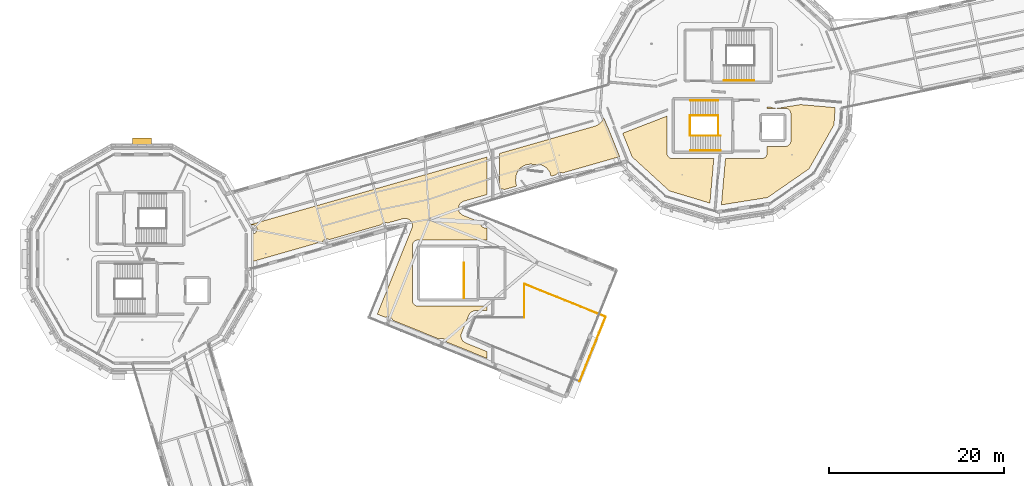
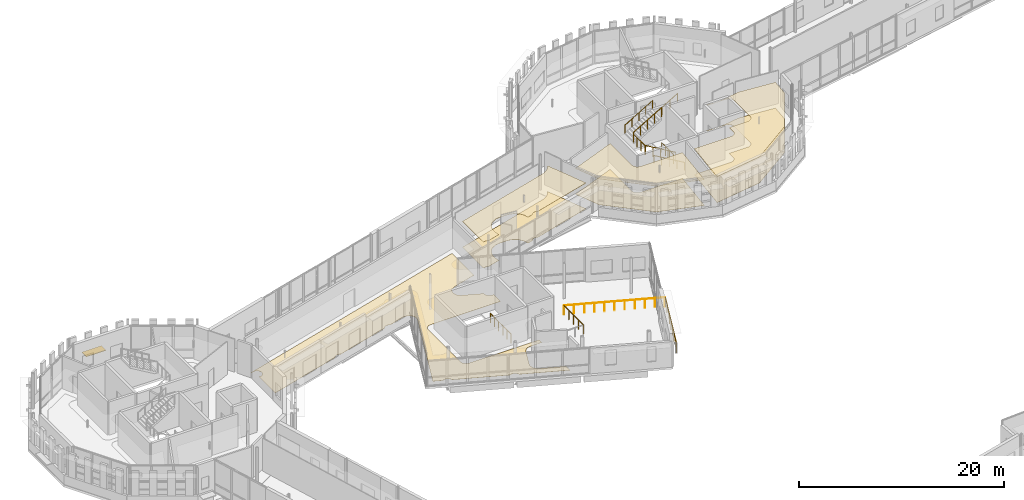
# One storey, part 121 of 125: 11 railings, 7 coverings, 1 shading device.
"""IFC4 building model written with IfcOpenShell, lengths in metres."""

from ifc_helpers import new_model, si_unit, direction, frame, origin, origin_2d, place, context, subcontext, project, spatial, polyline, rectangle, circle, outline, extrude, material, layer, layer_set, type_object, element, save


model = new_model("IFC4")

# Units and contexts
model_context = context("Model", 3, precision=1e-05, world=origin(), true_north=direction((0.0, 1.0)))
body_context = subcontext(model_context, "Body", "Model", "MODEL_VIEW")
ifc_project = project(units=[si_unit("LENGTHUNIT", "METRE"), si_unit("AREAUNIT", "SQUARE_METRE"), si_unit("VOLUMEUNIT", "CUBIC_METRE"), si_unit("PLANEANGLEUNIT", "RADIAN"), si_unit("MASSUNIT", "GRAM", prefix="KILO")], contexts=[model_context])

# Site, building, storey
site_placement = place(None, origin())
site = spatial("IfcSite", under=ifc_project, at=site_placement, CompositionType="ELEMENT")
building_placement = place(site_placement, origin())
building = spatial("IfcBuilding", under=site, at=building_placement, Name="Wrenclough Park School", CompositionType="ELEMENT")
storey_placement = place(building_placement, frame((0.0, 0.0, 4.199951171875)))
storey = spatial("IfcBuildingStorey", under=building, at=storey_placement, Name="L01", CompositionType="ELEMENT", Elevation=4.199951171875)

# Shading device
ifc_material_1 = material(Name="Anodised extruded aluminium solar louvre", Category="aluminium")
ifc_layer_1 = layer(ifc_material_1, 0.06005859375)
ifc_layer_set_1 = layer_set([ifc_layer_1], Name="Anodised extruded aluminium solar louvre")
shading_device_type = type_object("IfcShadingDeviceType", Name="ENV-SL-02", PredefinedType="JALOUSIE", material=ifc_layer_set_1)
shading_device_placement = place(storey_placement, frame((16.5, 102.876708984375, 1.030029296875), z_axis=(0.0, 0.0, 1.0), x_axis=(-1.0, 0.0, 0.0)))
element("IfcShadingDevice", 1, at=shading_device_placement, inside=storey, type_object=shading_device_type, Name="D3 L01 sun-side aluminium solar louvre 021", PredefinedType="JALOUSIE", context=body_context, shape_type="SweptSolid", body=[
    extrude(rectangle(XDim=2.199951171875, YDim=0.8798828125, at=origin_2d()), origin(), (0.0, 0.0, 1.0), 0.06005859375),
])

# Coverings
ifc_material_2 = material(Name="Class A mineral-fibre acoustic ceiling raft", Category="gypsum")
ifc_layer_2 = layer(ifc_material_2, 0.044921875)
ifc_layer_set_2 = layer_set([ifc_layer_2], Name="Class A mineral-fibre acoustic ceiling raft")
covering_type_1 = type_object("IfcCoveringType", Name="INT-COV-CEIL", PredefinedType="CEILING", material=ifc_layer_set_2)
covering_1_placement = place(storey_placement, frame((0.0, 0.0, 3.054931640625)))
element("IfcCovering", 2, at=covering_1_placement, inside=storey, type_object=covering_type_1, Name="Junior Science Laboratory 2 acoustic ceiling raft", PredefinedType="CEILING", context=body_context, shape_type="SweptSolid", body=[
    extrude(outline(polyline([(71.295166015625, 103.82470703125), (72.373046875, 101.1376953125), (76.619873046875, 97.255859375), (81.242431640625, 95.867919921875), (81.685302734375, 100.929931640625), (76.97998046875, 100.929931640625), (76.853271484375, 100.9423828125), (76.791259765625, 100.9580078125), (76.673583984375, 101.0068359375), (76.567626953125, 101.077392578125), (76.4775390625, 101.16748046875), (76.40673828125, 101.273681640625), (76.35791015625, 101.391357421875), (76.3330078125, 101.516357421875), (76.330078125, 105.78076171875), (71.295166015625, 103.82470703125)])), origin(), (0.0, 0.0, 1.0), 0.045166015625),
])
covering_2_placement = place(storey_placement, frame((0.0, 0.0, 3.054931640625)))
element("IfcCovering", 3, at=covering_2_placement, inside=storey, type_object=covering_type_1, Name="Geography Classroom 1 acoustic ceiling raft", PredefinedType="CEILING", context=body_context, shape_type="SweptSolid", body=[
    extrude(outline(polyline([(83.01025390625, 100.929931640625), (82.5498046875, 95.667724609375), (87.81298828125, 96.501220703125), (92.54248046875, 99.777587890625), (95.382080078125, 104.78173828125), (95.514892578125, 106.752685546875), (91.576416015625, 107.09716796875), (89.0107421875, 106.68701171875), (88.8017578125, 106.676025390625), (88.667724609375, 106.682861328125), (88.394775390625, 106.7294921875), (88.205810546875, 106.801513671875), (87.90673828125, 106.80517578125), (87.77001953125, 106.822265625), (87.77001953125, 106.669921875), (89.820068359375, 106.669921875), (89.94677734375, 106.657470703125), (90.068603515625, 106.62060546875), (90.18115234375, 106.560546875), (90.279541015625, 106.4794921875), (90.360595703125, 106.381103515625), (90.42041015625, 106.268798828125), (90.44189453125, 106.208740234375), (90.45751953125, 106.146728515625), (90.469970703125, 106.02001953125), (90.469970703125, 102.97998046875), (90.45751953125, 102.853271484375), (90.44189453125, 102.791259765625), (90.393310546875, 102.673583984375), (90.322509765625, 102.567626953125), (90.232421875, 102.4775390625), (90.12646484375, 102.40673828125), (90.0087890625, 102.35791015625), (89.8837890625, 102.3330078125), (87.77001953125, 102.330078125), (87.766845703125, 101.516357421875), (87.757568359375, 101.453125), (87.720458984375, 101.331298828125), (87.660400390625, 101.218994140625), (87.62255859375, 101.16748046875), (87.532470703125, 101.077392578125), (87.481201171875, 101.03955078125), (87.36865234375, 100.9794921875), (87.246826171875, 100.9423828125), (87.1201171875, 100.929931640625), (83.01025390625, 100.929931640625)])), origin(), (0.0, 0.0, 1.0), 0.045166015625),
])
covering_3_placement = place(storey_placement, frame((0.0, 0.0, 3.054931640625)))
element("IfcCovering", 4, at=covering_3_placement, inside=storey, type_object=covering_type_1, Name="Sixth Form Dining Balcony acoustic ceiling raft", PredefinedType="CEILING", context=body_context, shape_type="SweptSolid", body=[
    extrude(outline(polyline([(57.8056640625, 97.401611328125), (59.236083984375, 97.810302734375), (59.189208984375, 97.907958984375), (59.16650390625, 97.97705078125), (59.151611328125, 98.04833984375), (59.107421875, 98.340087890625), (59.100830078125, 98.468994140625), (59.121337890625, 98.891845703125), (59.136474609375, 99.002685546875), (59.170166015625, 99.109130859375), (59.3125, 99.45263671875), (59.36376953125, 99.551513671875), (59.395751953125, 99.597412109375), (59.63623046875, 99.866455078125), (59.7197265625, 99.943603515625), (59.815673828125, 100.00537109375), (60.15771484375, 100.184814453125), (60.223876953125, 100.215087890625), (60.29296875, 100.237548828125), (60.686767578125, 100.298095703125), (61.627685546875, 100.294189453125), (61.734619140625, 100.284912109375), (61.787109375, 100.2734375), (62.06982421875, 100.199951171875), (62.190185546875, 100.155517578125), (62.495361328125, 99.971923828125), (62.58544921875, 99.9052734375), (62.662841796875, 99.823974609375), (62.905517578125, 99.520751953125), (62.943115234375, 99.46875), (63.001953125, 99.35498046875), (63.12939453125, 98.922607421875), (63.704345703125, 99.0869140625), (63.770263671875, 99.19091796875), (63.843017578125, 99.263671875), (63.9287109375, 99.32080078125), (64.023681640625, 99.360107421875), (64.12451171875, 99.38037109375), (64.227294921875, 99.38037109375), (64.328369140625, 99.360107421875), (64.376708984375, 99.343017578125), (64.45556640625, 99.301513671875), (70.953369140625, 101.157958984375), (69.65478515625, 104.397705078125), (69.146240234375, 105.58740234375), (69.01708984375, 105.333251953125), (68.948486328125, 105.22607421875), (68.7001953125, 104.962890625), (68.647216796875, 104.91357421875), (68.588623046875, 104.8701171875), (68.525634765625, 104.833740234375), (68.145263671875, 104.643798828125), (57.25, 101.527587890625), (57.25, 97.40380859375), (57.3251953125, 97.44287109375), (57.373779296875, 97.460205078125), (57.423583984375, 97.47265625), (57.52587890625, 97.48291015625), (57.62841796875, 97.47265625), (57.67822265625, 97.460205078125), (57.726806640625, 97.44287109375), (57.8056640625, 97.401611328125)])), origin(), (0.0, 0.0, 1.0), 0.045166015625),
])
ifc_material_3 = material(Name="Acoustic natural linoleum school flooring", Category="wood")
ifc_layer_3 = layer(ifc_material_3, 0.014892578125)
ifc_layer_set_3 = layer_set([ifc_layer_3], Name="Acoustic natural linoleum school flooring")
covering_type_2 = type_object("IfcCoveringType", Name="INT-COV-FLOOR1", PredefinedType="FLOORING", material=ifc_layer_set_3)
covering_4_placement = place(storey_placement, origin())
element("IfcCovering", 5, at=covering_4_placement, inside=storey, type_object=covering_type_2, Name="Junior Science Laboratory 2 floor finish", PredefinedType="FLOORING", context=body_context, shape_type="SweptSolid", body=[
    extrude(outline(polyline([(71.295166015625, 103.82470703125), (72.373046875, 101.1376953125), (76.619873046875, 97.255859375), (81.242431640625, 95.867919921875), (81.685302734375, 100.929931640625), (76.97998046875, 100.929931640625), (76.853271484375, 100.9423828125), (76.791259765625, 100.9580078125), (76.673583984375, 101.0068359375), (76.567626953125, 101.077392578125), (76.4775390625, 101.16748046875), (76.40673828125, 101.273681640625), (76.35791015625, 101.391357421875), (76.3330078125, 101.516357421875), (76.330078125, 105.78076171875), (71.295166015625, 103.82470703125)])), origin(), (0.0, 0.0, 1.0), 0.01513671875),
])
covering_5_placement = place(storey_placement, origin())
element("IfcCovering", 6, at=covering_5_placement, inside=storey, type_object=covering_type_2, Name="Geography Classroom 1 floor finish", PredefinedType="FLOORING", context=body_context, shape_type="SweptSolid", body=[
    extrude(outline(polyline([(83.01025390625, 100.929931640625), (82.5498046875, 95.667724609375), (87.81298828125, 96.501220703125), (92.54248046875, 99.777587890625), (95.382080078125, 104.78173828125), (95.514892578125, 106.752685546875), (91.576416015625, 107.09716796875), (89.0107421875, 106.68701171875), (88.8017578125, 106.676025390625), (88.667724609375, 106.682861328125), (88.394775390625, 106.7294921875), (88.205810546875, 106.801513671875), (87.90673828125, 106.80517578125), (87.77001953125, 106.822265625), (87.77001953125, 106.669921875), (89.820068359375, 106.669921875), (89.94677734375, 106.657470703125), (90.068603515625, 106.62060546875), (90.18115234375, 106.560546875), (90.279541015625, 106.4794921875), (90.360595703125, 106.381103515625), (90.42041015625, 106.268798828125), (90.44189453125, 106.208740234375), (90.45751953125, 106.146728515625), (90.469970703125, 106.02001953125), (90.469970703125, 102.97998046875), (90.45751953125, 102.853271484375), (90.44189453125, 102.791259765625), (90.393310546875, 102.673583984375), (90.322509765625, 102.567626953125), (90.232421875, 102.4775390625), (90.12646484375, 102.40673828125), (90.0087890625, 102.35791015625), (89.8837890625, 102.3330078125), (87.77001953125, 102.330078125), (87.766845703125, 101.516357421875), (87.757568359375, 101.453125), (87.720458984375, 101.331298828125), (87.660400390625, 101.218994140625), (87.62255859375, 101.16748046875), (87.532470703125, 101.077392578125), (87.481201171875, 101.03955078125), (87.36865234375, 100.9794921875), (87.246826171875, 100.9423828125), (87.1201171875, 100.929931640625), (83.01025390625, 100.929931640625)])), origin(), (0.0, 0.0, 1.0), 0.01513671875),
])
covering_6_placement = place(storey_placement, origin())
element("IfcCovering", 7, at=covering_6_placement, inside=storey, type_object=covering_type_2, Name="Agora Music Recital Gallery floor finish", PredefinedType="FLOORING", context=body_context, shape_type="SweptSolid", body=[
    extrude(outline(polyline([(55.85009765625, 101.127685546875), (28.712646484375, 93.3740234375), (28.768798828125, 93.2744140625), (28.816162109375, 93.310302734375), (28.906005859375, 93.3583984375), (29.003662109375, 93.387939453125), (29.053955078125, 93.3955078125), (29.10498046875, 93.39794921875), (29.206298828125, 93.387939453125), (29.303955078125, 93.3583984375), (29.35009765625, 93.336669921875), (29.393798828125, 93.310302734375), (29.47265625, 93.24560546875), (29.537353515625, 93.1669921875), (29.563720703125, 93.123046875), (29.6025390625, 93.02880859375), (29.62255859375, 92.928955078125), (29.62255859375, 92.826904296875), (29.6025390625, 92.72705078125), (29.563720703125, 92.6328125), (29.507080078125, 92.548095703125), (29.47265625, 92.51025390625), (29.393798828125, 92.445556640625), (29.303955078125, 92.397705078125), (29.255859375, 92.38037109375), (29.156005859375, 92.360595703125), (29.10498046875, 92.35791015625), (29.02490234375, 92.36474609375), (29.025634765625, 89.1787109375), (37.1044921875, 91.48681640625), (37.17041015625, 91.5908203125), (37.2431640625, 91.663818359375), (37.32861328125, 91.720703125), (37.423583984375, 91.76025390625), (37.524658203125, 91.7802734375), (37.62744140625, 91.7802734375), (37.728271484375, 91.76025390625), (37.77685546875, 91.742919921875), (37.855712890625, 91.701416015625), (43.75439453125, 93.386962890625), (43.8203125, 93.490966796875), (43.89306640625, 93.563720703125), (43.978515625, 93.620849609375), (44.07373046875, 93.66015625), (44.174560546875, 93.680419921875), (44.27734375, 93.680419921875), (44.37841796875, 93.66015625), (44.4267578125, 93.642822265625), (44.505615234375, 93.6015625), (46.322265625, 94.116455078125), (46.463623046875, 94.125), (46.5341796875, 94.11767578125), (46.701416015625, 94.091064453125), (46.8232421875, 94.05908203125), (46.93701171875, 94.00439453125), (47.03759765625, 93.9287109375), (47.186279296875, 93.76318359375), (47.2509765625, 93.655029296875), (47.29345703125, 93.53662109375), (47.330078125, 93.37646484375), (47.335205078125, 93.240478515625), (47.311767578125, 93.106201171875), (43.334716796875, 83.21533203125), (44.255615234375, 82.84326171875), (44.328125, 82.88037109375), (44.38134765625, 82.8994140625), (44.492431640625, 82.92138671875), (44.549072265625, 82.92431640625), (44.66162109375, 82.9130859375), (44.77001953125, 82.88037109375), (44.86962890625, 82.826904296875), (44.915283203125, 82.793212890625), (44.9951171875, 82.713134765625), (45.05810546875, 82.619140625), (45.10498046875, 82.500244140625), (50.37451171875, 80.37109375), (50.447021484375, 80.408203125), (50.50048828125, 80.427490234375), (50.611328125, 80.449462890625), (50.724609375, 80.449462890625), (50.835693359375, 80.427490234375), (50.888916015625, 80.408203125), (50.98876953125, 80.35498046875), (51.0341796875, 80.3212890625), (51.1142578125, 80.2412109375), (51.177001953125, 80.147216796875), (51.22412109375, 80.02783203125), (55.85009765625, 78.158935546875), (55.85009765625, 78.938232421875), (53.408203125, 79.924560546875), (53.29541015625, 79.98388671875), (53.0966796875, 80.14404296875), (53.053466796875, 80.19091796875), (52.98193359375, 80.2958984375), (52.93212890625, 80.4130859375), (52.893798828125, 80.534912109375), (52.8681640625, 80.658447265625), (52.8642578125, 80.721435546875), (52.875, 80.84716796875), (52.90966796875, 80.968505859375), (53.7412109375, 83.0712890625), (53.79052734375, 83.17041015625), (53.92529296875, 83.35302734375), (54.019775390625, 83.439697265625), (54.12939453125, 83.505859375), (54.3291015625, 83.581298828125), (54.437744140625, 83.6103515625), (54.5498046875, 83.6201171875), (55.85009765625, 83.6201171875), (55.85009765625, 84.1298828125), (47.97998046875, 84.1298828125), (47.853271484375, 84.142578125), (47.791259765625, 84.157958984375), (47.673583984375, 84.206787109375), (47.567626953125, 84.277587890625), (47.4775390625, 84.36767578125), (47.439453125, 84.4189453125), (47.37939453125, 84.53125), (47.35791015625, 84.59130859375), (47.3330078125, 84.71630859375), (47.330078125, 84.780029296875), (47.330078125, 91.02001953125), (47.342529296875, 91.146728515625), (47.37939453125, 91.268798828125), (47.439453125, 91.381103515625), (47.5205078125, 91.4794921875), (47.618896484375, 91.560546875), (47.731201171875, 91.62060546875), (47.853271484375, 91.657470703125), (47.916259765625, 91.6669921875), (55.85009765625, 91.669921875), (55.85009765625, 93.049560546875), (55.730712890625, 93.0244140625), (55.674072265625, 93.021728515625), (55.561279296875, 93.03271484375), (55.453125, 93.065673828125), (55.40185546875, 93.08984375), (55.307861328125, 93.15283203125), (55.227783203125, 93.23291015625), (55.164794921875, 93.326904296875), (55.140625, 93.378173828125), (55.12158203125, 93.431396484375), (55.099609375, 93.54248046875), (55.1015625, 93.668701171875), (53.10205078125, 94.4765625), (52.98828125, 94.5361328125), (52.79736328125, 94.69091796875), (52.715087890625, 94.790283203125), (52.681884765625, 94.845458984375), (52.654296875, 94.90380859375), (52.598388671875, 95.07666015625), (52.574462890625, 95.19384765625), (52.570556640625, 95.25341796875), (52.572265625, 95.313232421875), (52.592041015625, 95.43115234375), (52.656494140625, 95.615966796875), (52.7080078125, 95.72412109375), (52.778076171875, 95.8212890625), (52.864990234375, 95.903564453125), (53.067626953125, 96.03466796875), (53.18701171875, 96.081787109375), (55.85009765625, 96.8427734375), (55.85009765625, 101.127685546875)])), origin(), (0.0, 0.0, 1.0), 0.01513671875),
])
covering_7_placement = place(storey_placement, origin())
element("IfcCovering", 8, at=covering_7_placement, inside=storey, type_object=covering_type_2, Name="Sixth Form Dining Balcony floor finish", PredefinedType="FLOORING", context=body_context, shape_type="SweptSolid", body=[
    extrude(outline(polyline([(57.8056640625, 97.401611328125), (59.236083984375, 97.810302734375), (59.189208984375, 97.907958984375), (59.16650390625, 97.97705078125), (59.151611328125, 98.04833984375), (59.107421875, 98.340087890625), (59.100830078125, 98.468994140625), (59.121337890625, 98.891845703125), (59.136474609375, 99.002685546875), (59.170166015625, 99.109130859375), (59.3125, 99.45263671875), (59.36376953125, 99.551513671875), (59.395751953125, 99.597412109375), (59.63623046875, 99.866455078125), (59.7197265625, 99.943603515625), (59.815673828125, 100.00537109375), (60.15771484375, 100.184814453125), (60.223876953125, 100.215087890625), (60.29296875, 100.237548828125), (60.686767578125, 100.298095703125), (61.627685546875, 100.294189453125), (61.734619140625, 100.284912109375), (61.787109375, 100.2734375), (62.06982421875, 100.199951171875), (62.190185546875, 100.155517578125), (62.495361328125, 99.971923828125), (62.58544921875, 99.9052734375), (62.662841796875, 99.823974609375), (62.905517578125, 99.520751953125), (62.943115234375, 99.46875), (63.001953125, 99.35498046875), (63.12939453125, 98.922607421875), (63.704345703125, 99.0869140625), (63.770263671875, 99.19091796875), (63.843017578125, 99.263671875), (63.9287109375, 99.32080078125), (64.023681640625, 99.360107421875), (64.12451171875, 99.38037109375), (64.227294921875, 99.38037109375), (64.328369140625, 99.360107421875), (64.376708984375, 99.343017578125), (64.45556640625, 99.301513671875), (70.953369140625, 101.157958984375), (69.65478515625, 104.397705078125), (69.146240234375, 105.58740234375), (69.01708984375, 105.333251953125), (68.948486328125, 105.22607421875), (68.7001953125, 104.962890625), (68.647216796875, 104.91357421875), (68.588623046875, 104.8701171875), (68.525634765625, 104.833740234375), (68.145263671875, 104.643798828125), (57.25, 101.527587890625), (57.25, 97.40380859375), (57.3251953125, 97.44287109375), (57.373779296875, 97.460205078125), (57.423583984375, 97.47265625), (57.52587890625, 97.48291015625), (57.62841796875, 97.47265625), (57.67822265625, 97.460205078125), (57.726806640625, 97.44287109375), (57.8056640625, 97.401611328125)])), origin(), (0.0, 0.0, 1.0), 0.01513671875),
])

# Railings
ifc_material_4 = material(Name="Powder-coated steel vertical-baluster stair and atrium guard", Category="steel")
railing_type_1 = type_object("IfcRailingType", Name="INT-RL-GD1120", PredefinedType="GUARDRAIL", material=ifc_material_4)
railing_1_placement = place(storey_placement, frame((82.195068359375, 103.550048828125, 0.0)))
element("IfcRailing", 9, at=railing_1_placement, inside=storey, type_object=railing_type_1, Name="ST-04 L01 well guard 1", PredefinedType="GUARDRAIL", context=body_context, shape_type="SweptSolid", body=[
    extrude(circle(Radius=0.02392578125, at=origin_2d()), frame((0.0, 0.0, 1.09619140625), z_axis=(0.0, 1.0, 0.0), x_axis=(-1.0, 0.0, 0.0)), (0.0, 0.0, 1.0), 2.300048828125),
    extrude(circle(Radius=0.02099609375, at=origin_2d()), origin(), (0.0, 0.0, 1.0), 1.072021484375),
    extrude(circle(Radius=0.02099609375, at=origin_2d()), frame((0.0, 0.7666015625, 0.0)), (0.0, 0.0, 1.0), 1.072021484375),
    extrude(circle(Radius=0.02099609375, at=origin_2d()), frame((0.0, 1.533447265625, 0.0)), (0.0, 0.0, 1.0), 1.072021484375),
    extrude(circle(Radius=0.02099609375, at=origin_2d()), frame((0.0, 2.300048828125, 0.0)), (0.0, 0.0, 1.0), 1.072021484375),
])
railing_2_placement = place(storey_placement, frame((82.43994140625, 103.550048828125, 0.16796875)))
element("IfcRailing", 10, at=railing_2_placement, inside=storey, type_object=railing_type_1, Name="ST-04 L01 well guard 2", PredefinedType="GUARDRAIL", context=body_context, shape_type="SweptSolid", body=[
    extrude(circle(Radius=0.02392578125, at=origin_2d()), frame((0.0, 0.0, 1.09619140625), z_axis=(-0.861450067461, 0.0, 0.507842279918), x_axis=(0.0, -1.0, 0.0)), (0.0, 0.0, 1.0), 3.969970703125),
    extrude(circle(Radius=0.02099609375, at=origin_2d()), origin(), (0.0, 0.0, 1.0), 1.072021484375),
    extrude(circle(Radius=0.02099609375, at=origin_2d()), frame((-0.85498046875, 0.0, 0.50390625)), (0.0, 0.0, 1.0), 1.072021484375),
    extrude(circle(Radius=0.02099609375, at=origin_2d()), frame((-1.7099609375, 0.0, 1.008056640625)), (0.0, 0.0, 1.0), 1.072021484375),
    extrude(circle(Radius=0.02099609375, at=origin_2d()), frame((-2.56494140625, 0.0, 1.51220703125)), (0.0, 0.0, 1.0), 1.072021484375),
    extrude(circle(Radius=0.02099609375, at=origin_2d()), frame((-3.419921875, 0.0, 2.01611328125)), (0.0, 0.0, 1.0), 1.072021484375),
])
railing_3_placement = place(storey_placement, frame((78.97998046875, 103.550048828125, 2.18408203125)))
element("IfcRailing", 11, at=railing_3_placement, inside=storey, type_object=railing_type_1, Name="ST-04 L01 well guard 3", PredefinedType="GUARDRAIL", context=body_context, shape_type="SweptSolid", body=[
    extrude(circle(Radius=0.02392578125, at=origin_2d()), frame((0.0, 0.0, 1.09619140625), z_axis=(0.0, 1.0, 0.0), x_axis=(-1.0, 0.0, 0.0)), (0.0, 0.0, 1.0), 2.300048828125),
    extrude(circle(Radius=0.02099609375, at=origin_2d()), origin(), (0.0, 0.0, 1.0), 1.072021484375),
    extrude(circle(Radius=0.02099609375, at=origin_2d()), frame((0.0, 0.7666015625, 0.0)), (0.0, 0.0, 1.0), 1.072021484375),
    extrude(circle(Radius=0.02099609375, at=origin_2d()), frame((0.0, 1.533447265625, 0.0)), (0.0, 0.0, 1.0), 1.072021484375),
    extrude(circle(Radius=0.02099609375, at=origin_2d()), frame((0.0, 2.300048828125, 0.0)), (0.0, 0.0, 1.0), 1.072021484375),
])
railing_4_placement = place(storey_placement, frame((79.02001953125, 105.85009765625, 2.35205078125)))
element("IfcRailing", 12, at=railing_4_placement, inside=storey, type_object=railing_type_1, Name="ST-04 L01 well guard 4", PredefinedType="GUARDRAIL", context=body_context, shape_type="SweptSolid", body=[
    extrude(circle(Radius=0.02392578125, at=origin_2d()), frame((0.0, 0.0, 1.09619140625), z_axis=(0.861480291558, 0.0, 0.50779100746), x_axis=(0.0, 1.0, 0.0)), (0.0, 0.0, 1.0), 3.63916015625),
    extrude(circle(Radius=0.02099609375, at=origin_2d()), origin(), (0.0, 0.0, 1.0), 1.072021484375),
    extrude(circle(Radius=0.02099609375, at=origin_2d()), frame((0.78369140625, 0.0, 0.4619140625)), (0.0, 0.0, 1.0), 1.072021484375),
    extrude(circle(Radius=0.02099609375, at=origin_2d()), frame((1.5673828125, 0.0, 0.923828125)), (0.0, 0.0, 1.0), 1.072021484375),
    extrude(circle(Radius=0.02099609375, at=origin_2d()), frame((2.351318359375, 0.0, 1.385986328125)), (0.0, 0.0, 1.0), 1.072021484375),
    extrude(circle(Radius=0.02099609375, at=origin_2d()), frame((3.135009765625, 0.0, 1.847900390625)), (0.0, 0.0, 1.0), 1.072021484375),
])
railing_5_placement = place(storey_placement, frame((53.195068359375, 85.0400390625, 0.0)))
element("IfcRailing", 13, at=railing_5_placement, inside=storey, type_object=railing_type_1, Name="ST-11 L01 top landing guard", PredefinedType="GUARDRAIL", context=body_context, shape_type="SweptSolid", body=[
    extrude(circle(Radius=0.02392578125, at=origin_2d()), frame((0.0, 0.0, 1.09619140625), z_axis=(0.0, 1.0, 0.0), x_axis=(-1.0, 0.0, 0.0)), (0.0, 0.0, 1.0), 4.010009765625),
    extrude(circle(Radius=0.02099609375, at=origin_2d()), origin(), (0.0, 0.0, 1.0), 1.072021484375),
    extrude(circle(Radius=0.02099609375, at=origin_2d()), frame((0.0, 0.802001953125, 0.0)), (0.0, 0.0, 1.0), 1.072021484375),
    extrude(circle(Radius=0.02099609375, at=origin_2d()), frame((0.0, 1.60400390625, 0.0)), (0.0, 0.0, 1.0), 1.072021484375),
    extrude(circle(Radius=0.02099609375, at=origin_2d()), frame((0.0, 2.406005859375, 0.0)), (0.0, 0.0, 1.0), 1.072021484375),
    extrude(circle(Radius=0.02099609375, at=origin_2d()), frame((0.0, 3.2080078125, 0.0)), (0.0, 0.0, 1.0), 1.072021484375),
    extrude(circle(Radius=0.02099609375, at=origin_2d()), frame((0.0, 4.010009765625, 0.0)), (0.0, 0.0, 1.0), 1.072021484375),
])
railing_6_placement = place(storey_placement, frame((69.333740234375, 82.916748046875, 0.0)))
element("IfcRailing", 14, at=railing_6_placement, inside=storey, type_object=railing_type_1, Name="W34 L01 void perimeter guard 1.1", PredefinedType="GUARDRAIL", context=body_context, shape_type="SweptSolid", body=[
    extrude(circle(Radius=0.02392578125, at=origin_2d()), frame((0.0, 0.0, 1.09619140625), z_axis=(-0.927187462188, 0.374597664117, 0.0), x_axis=(-0.374597664117, -0.927187462188, 0.0)), (0.0, 0.0, 1.0), 9.955322265625),
    extrude(circle(Radius=0.02099609375, at=origin_2d()), origin(), (0.0, 0.0, 1.0), 1.072021484375),
    extrude(circle(Radius=0.02099609375, at=origin_2d()), frame((-0.923095703125, 0.373046875, 0.0)), (0.0, 0.0, 1.0), 1.072021484375),
    extrude(circle(Radius=0.02099609375, at=origin_2d()), frame((-1.84619140625, 0.745849609375, 0.0)), (0.0, 0.0, 1.0), 1.072021484375),
    extrude(circle(Radius=0.02099609375, at=origin_2d()), frame((-2.76904296875, 1.11865234375, 0.0)), (0.0, 0.0, 1.0), 1.072021484375),
    extrude(circle(Radius=0.02099609375, at=origin_2d()), frame((-3.692138671875, 1.49169921875, 0.0)), (0.0, 0.0, 1.0), 1.072021484375),
    extrude(circle(Radius=0.02099609375, at=origin_2d()), frame((-4.615234375, 1.86474609375, 0.0)), (0.0, 0.0, 1.0), 1.072021484375),
    extrude(circle(Radius=0.02099609375, at=origin_2d()), frame((-5.538330078125, 2.237548828125, 0.0)), (0.0, 0.0, 1.0), 1.072021484375),
    extrude(circle(Radius=0.02099609375, at=origin_2d()), frame((-6.46142578125, 2.6103515625, 0.0)), (0.0, 0.0, 1.0), 1.072021484375),
    extrude(circle(Radius=0.02099609375, at=origin_2d()), frame((-7.38427734375, 2.9833984375, 0.0)), (0.0, 0.0, 1.0), 1.072021484375),
    extrude(circle(Radius=0.02099609375, at=origin_2d()), frame((-8.307373046875, 3.3564453125, 0.0)), (0.0, 0.0, 1.0), 1.072021484375),
    extrude(circle(Radius=0.02099609375, at=origin_2d()), frame((-9.23046875, 3.729248046875, 0.0)), (0.0, 0.0, 1.0), 1.072021484375),
])
railing_7_placement = place(storey_placement, frame((60.080078125, 86.630615234375, 0.0)))
element("IfcRailing", 15, at=railing_7_placement, inside=storey, type_object=railing_type_1, Name="W34 L01 void perimeter guard 1.2", PredefinedType="GUARDRAIL", context=body_context, shape_type="SweptSolid", body=[
    extrude(circle(Radius=0.02392578125, at=origin_2d()), frame((0.0, 0.0, 1.09619140625), z_axis=(0.0, -1.0, 0.0), x_axis=(1.0, 0.0, 0.0)), (0.0, 0.0, 1.0), 3.78564453125),
    extrude(circle(Radius=0.02099609375, at=origin_2d()), origin(), (0.0, 0.0, 1.0), 1.072021484375),
    extrude(circle(Radius=0.02099609375, at=origin_2d()), frame((0.0, -0.9462890625, 0.0)), (0.0, 0.0, 1.0), 1.072021484375),
    extrude(circle(Radius=0.02099609375, at=origin_2d()), frame((0.0, -1.892822265625, 0.0)), (0.0, 0.0, 1.0), 1.072021484375),
    extrude(circle(Radius=0.02099609375, at=origin_2d()), frame((0.0, -2.83935546875, 0.0)), (0.0, 0.0, 1.0), 1.072021484375),
    extrude(circle(Radius=0.02099609375, at=origin_2d()), frame((0.0, -3.78564453125, 0.0)), (0.0, 0.0, 1.0), 1.072021484375),
])
railing_8_placement = place(storey_placement, frame((66.391845703125, 75.56884765625, 0.0)))
element("IfcRailing", 16, at=railing_8_placement, inside=storey, type_object=railing_type_1, Name="W34 L01 void perimeter guard 1.6", PredefinedType="GUARDRAIL", context=body_context, shape_type="SweptSolid", body=[
    extrude(circle(Radius=0.02392578125, at=origin_2d()), frame((0.0, 0.0, 1.09619140625), z_axis=(0.374626761198, 0.927175705999, 0.0), x_axis=(-0.927175705999, 0.374626761198, 0.0)), (0.0, 0.0, 1.0), 7.889892578125),
    extrude(circle(Radius=0.02099609375, at=origin_2d()), origin(), (0.0, 0.0, 1.0), 1.072021484375),
    extrude(circle(Radius=0.02099609375, at=origin_2d()), frame((0.369384765625, 0.91455078125, 0.0)), (0.0, 0.0, 1.0), 1.072021484375),
    extrude(circle(Radius=0.02099609375, at=origin_2d()), frame((0.739013671875, 1.828857421875, 0.0)), (0.0, 0.0, 1.0), 1.072021484375),
    extrude(circle(Radius=0.02099609375, at=origin_2d()), frame((1.1083984375, 2.7431640625, 0.0)), (0.0, 0.0, 1.0), 1.072021484375),
    extrude(circle(Radius=0.02099609375, at=origin_2d()), frame((1.47802734375, 3.65771484375, 0.0)), (0.0, 0.0, 1.0), 1.072021484375),
    extrude(circle(Radius=0.02099609375, at=origin_2d()), frame((1.847412109375, 4.572265625, 0.0)), (0.0, 0.0, 1.0), 1.072021484375),
    extrude(circle(Radius=0.02099609375, at=origin_2d()), frame((2.216796875, 5.486572265625, 0.0)), (0.0, 0.0, 1.0), 1.072021484375),
    extrude(circle(Radius=0.02099609375, at=origin_2d()), frame((2.58642578125, 6.40087890625, 0.0)), (0.0, 0.0, 1.0), 1.072021484375),
    extrude(circle(Radius=0.02099609375, at=origin_2d()), frame((2.955810546875, 7.3154296875, 0.0)), (0.0, 0.0, 1.0), 1.072021484375),
])
ifc_material_5 = material(Name="Brushed stainless steel tubular handrail", Category="steel")
railing_type_2 = type_object("IfcRailingType", Name="INT-RL-HR950", PredefinedType="HANDRAIL", material=ifc_material_5)
railing_9_placement = place(storey_placement, frame((82.43994140625, 101.85009765625, 0.16796875)))
element("IfcRailing", 17, at=railing_9_placement, inside=storey, type_object=railing_type_2, Name="ST-04 L01 pitch handrail 1", PredefinedType="HANDRAIL", context=body_context, shape_type="SweptSolid", body=[
    extrude(circle(Radius=0.02392578125, at=origin_2d()), frame((0.0, 0.0, 0.92578125), z_axis=(-0.861450067461, 0.0, 0.507842279918), x_axis=(0.0, -1.0, 0.0)), (0.0, 0.0, 1.0), 3.969970703125),
    extrude(circle(Radius=0.02099609375, at=origin_2d()), origin(), (0.0, 0.0, 1.0), 0.90185546875),
    extrude(circle(Radius=0.02099609375, at=origin_2d()), frame((-0.85498046875, 0.0, 0.50390625)), (0.0, 0.0, 1.0), 0.90185546875),
    extrude(circle(Radius=0.02099609375, at=origin_2d()), frame((-1.7099609375, 0.0, 1.008056640625)), (0.0, 0.0, 1.0), 0.90185546875),
    extrude(circle(Radius=0.02099609375, at=origin_2d()), frame((-2.56494140625, 0.0, 1.51220703125)), (0.0, 0.0, 1.0), 0.90185546875),
    extrude(circle(Radius=0.02099609375, at=origin_2d()), frame((-3.419921875, 0.0, 2.01611328125)), (0.0, 0.0, 1.0), 0.90185546875),
])
railing_10_placement = place(storey_placement, frame((79.02001953125, 107.550048828125, 2.35205078125)))
element("IfcRailing", 18, at=railing_10_placement, inside=storey, type_object=railing_type_2, Name="ST-04 L01 pitch handrail 2", PredefinedType="HANDRAIL", context=body_context, shape_type="SweptSolid", body=[
    extrude(circle(Radius=0.02392578125, at=origin_2d()), frame((0.0, 0.0, 0.92578125), z_axis=(0.861480291558, 0.0, 0.50779100746), x_axis=(0.0, 1.0, 0.0)), (0.0, 0.0, 1.0), 3.63916015625),
    extrude(circle(Radius=0.02099609375, at=origin_2d()), origin(), (0.0, 0.0, 1.0), 0.90185546875),
    extrude(circle(Radius=0.02099609375, at=origin_2d()), frame((0.78369140625, 0.0, 0.4619140625)), (0.0, 0.0, 1.0), 0.90185546875),
    extrude(circle(Radius=0.02099609375, at=origin_2d()), frame((1.5673828125, 0.0, 0.923828125)), (0.0, 0.0, 1.0), 0.90185546875),
    extrude(circle(Radius=0.02099609375, at=origin_2d()), frame((2.351318359375, 0.0, 1.385986328125)), (0.0, 0.0, 1.0), 0.90185546875),
    extrude(circle(Radius=0.02099609375, at=origin_2d()), frame((3.135009765625, 0.0, 1.847900390625)), (0.0, 0.0, 1.0), 0.90185546875),
])
railing_11_placement = place(storey_placement, frame((82.860107421875, 109.85009765625, 0.16796875)))
element("IfcRailing", 19, at=railing_11_placement, inside=storey, type_object=railing_type_2, Name="ST-08 L01 pitch handrail 1", PredefinedType="HANDRAIL", context=body_context, shape_type="SweptSolid", body=[
    extrude(circle(Radius=0.02392578125, at=origin_2d()), frame((0.0, 0.0, 0.92578125), z_axis=(0.861450067461, 0.0, 0.507842279918), x_axis=(0.0, 1.0, 0.0)), (0.0, 0.0, 1.0), 3.969970703125),
    extrude(circle(Radius=0.02099609375, at=origin_2d()), origin(), (0.0, 0.0, 1.0), 0.90185546875),
    extrude(circle(Radius=0.02099609375, at=origin_2d()), frame((0.85498046875, 0.0, 0.50390625)), (0.0, 0.0, 1.0), 0.90185546875),
    extrude(circle(Radius=0.02099609375, at=origin_2d()), frame((1.7099609375, 0.0, 1.008056640625)), (0.0, 0.0, 1.0), 0.90185546875),
    extrude(circle(Radius=0.02099609375, at=origin_2d()), frame((2.56494140625, 0.0, 1.51220703125)), (0.0, 0.0, 1.0), 0.90185546875),
    extrude(circle(Radius=0.02099609375, at=origin_2d()), frame((3.419921875, 0.0, 2.01611328125)), (0.0, 0.0, 1.0), 0.90185546875),
])

save(model, "model.ifc")
